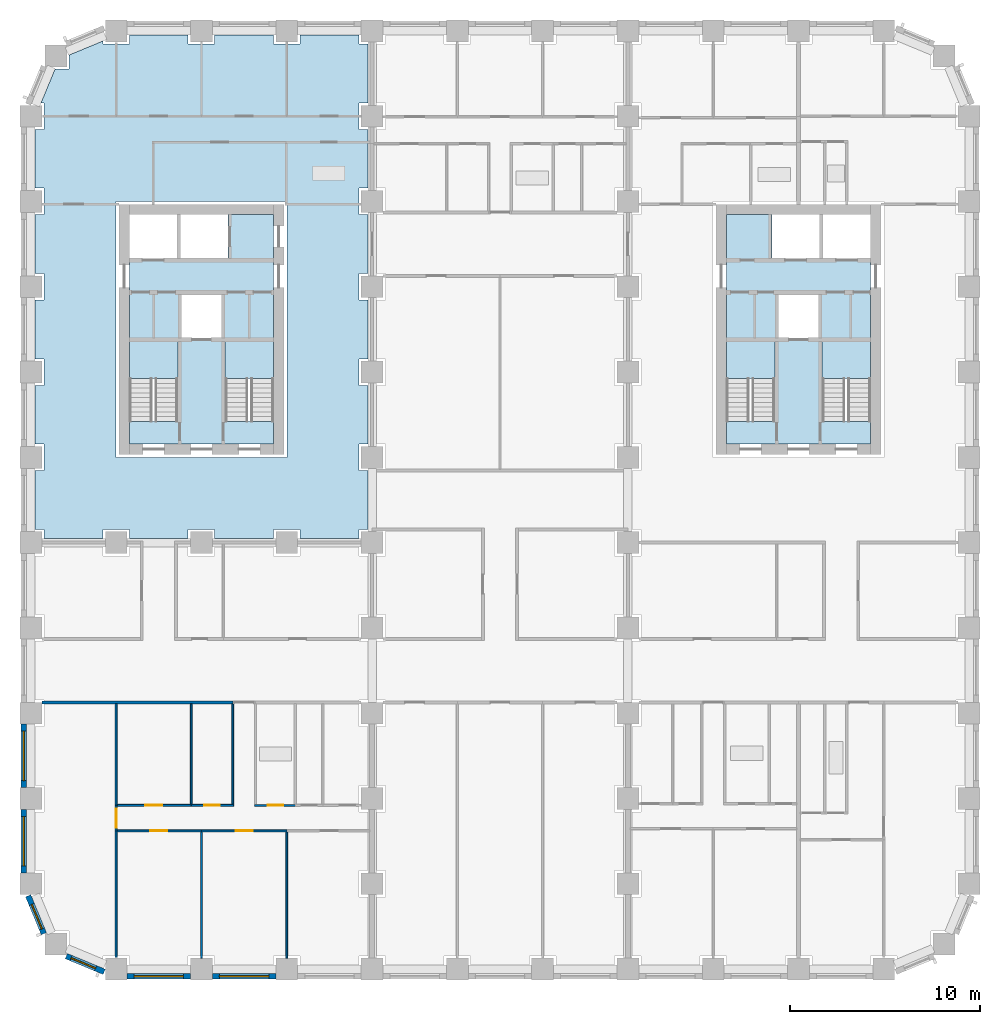
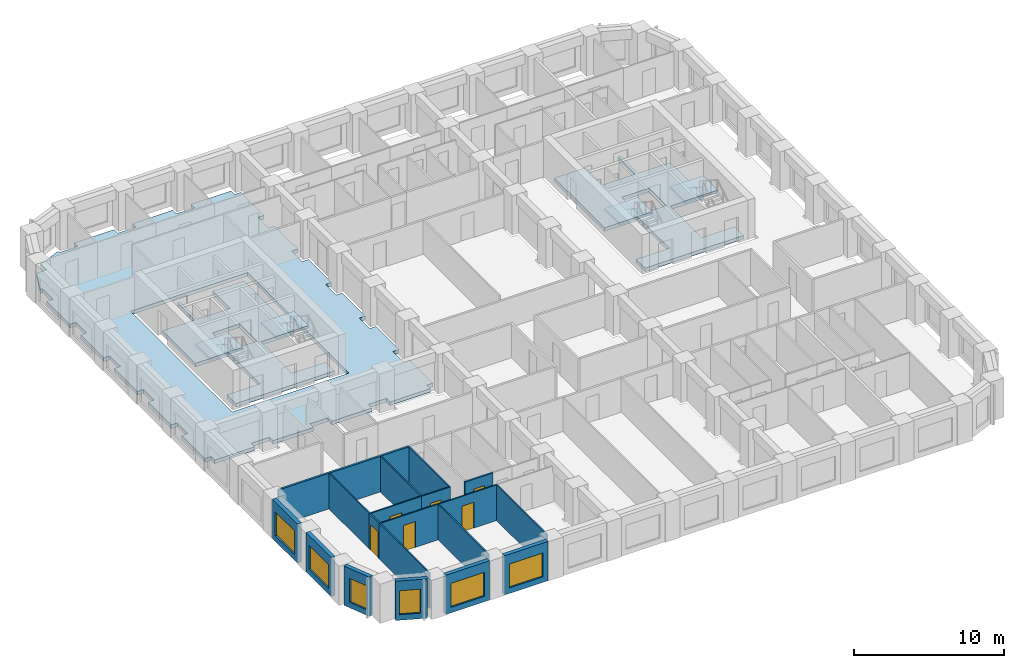
# One storey, part 2 of 13: 19 walls, 7 slabs, 6 doors, 6 windows, 12 openings, 4 elements without a shape of their own.
"""IFC4 building model written with IfcOpenShell, lengths in metres."""

from ifc_helpers import new_model, si_unit, direction, frame, frame_2d, origin, place, context, subcontext, project, spatial, polyline, rectangle, outline, extrude, material, layer, layer_set, type_object, element, fill, aggregate, save


model = new_model("IFC4")

# Units and contexts
model_context = context("Model", 3, precision=1e-05, world=origin(), true_north=direction((0.0, 1.0)))
body_context = subcontext(model_context, "Body", "Model", "MODEL_VIEW")
ifc_project = project(units=[si_unit("LENGTHUNIT", "METRE"), si_unit("AREAUNIT", "SQUARE_METRE"), si_unit("VOLUMEUNIT", "CUBIC_METRE"), si_unit("PLANEANGLEUNIT", "RADIAN"), si_unit("MASSUNIT", "GRAM", prefix="KILO")], contexts=[model_context])

# Site, building, storey
site_placement = place(None, origin())
site = spatial("IfcSite", under=ifc_project, at=site_placement, CompositionType="ELEMENT")
building_placement = place(site_placement, origin())
building = spatial("IfcBuilding", under=site, at=building_placement, Name="Girih Gate Residences", CompositionType="ELEMENT")
storey_placement = place(building_placement, frame((0.0, 0.0, 80.0)))
storey = spatial("IfcBuildingStorey", under=building, at=storey_placement, Name="L21", CompositionType="ELEMENT", Elevation=80.0)

# Slabs
ifc_material_1 = material(Name="Concrete C40/50", Category="concrete")
ifc_layer_1 = layer(ifc_material_1, 0.300048828125)
ifc_layer_set_1 = layer_set([ifc_layer_1], Name="Core floor slab 300")
slab_type_1 = type_object("IfcSlabType", Name="Core floor slab 300", PredefinedType="FLOOR", material=ifc_layer_set_1)
slab_1_placement = place(storey_placement, frame((0.0, 0.0, -0.300048828125)))
element("IfcSlab", 1, at=slab_1_placement, inside=storey, type_object=slab_type_1, Name="L21 W core floor", PredefinedType="FLOOR", context=body_context, shape_type="SweptSolid", body=[
    extrude(outline(polyline([(12.800048828125, 27.699951171875), (5.199951171875, 27.699951171875), (5.199951171875, 28.900634765625), (7.75, 28.900634765625), (7.75, 33.10009765625), (5.199951171875, 33.10009765625), (5.199951171875, 37.5), (7.699951171875, 37.5), (7.699951171875, 39.800048828125), (7.89990234375, 39.800048828125), (7.89990234375, 37.5), (10.39990234375, 37.5), (10.39990234375, 39.800048828125), (12.800048828125, 39.800048828125), (12.800048828125, 33.10009765625), (10.25, 33.10009765625), (10.25, 28.900634765625), (12.800048828125, 28.900634765625), (12.800048828125, 27.699951171875)]), holes=[polyline([(7.949951171875, 33.300048828125), (10.050048828125, 33.300048828125), (10.050048828125, 35.60009765625), (7.949951171875, 35.60009765625), (7.949951171875, 33.300048828125)])]), origin(), (0.0, 0.0, 1.0), 0.300048828125),
])
slab_2_placement = place(storey_placement, frame((0.0, 0.0, -0.300048828125)))
element("IfcSlab", 2, at=slab_2_placement, inside=storey, type_object=slab_type_1, Name="L21 E core floor", PredefinedType="FLOOR", context=body_context, shape_type="SweptSolid", body=[
    extrude(outline(polyline([(44.300048828125, 27.699951171875), (36.699951171875, 27.699951171875), (36.699951171875, 28.900634765625), (39.25, 28.900634765625), (39.25, 33.10009765625), (36.699951171875, 33.10009765625), (36.699951171875, 39.800048828125), (39.10009765625, 39.800048828125), (39.10009765625, 37.5), (41.60009765625, 37.5), (41.60009765625, 39.800048828125), (41.800048828125, 39.800048828125), (41.800048828125, 37.5), (44.300048828125, 37.5), (44.300048828125, 33.10009765625), (41.75, 33.10009765625), (41.75, 28.900634765625), (44.300048828125, 28.900634765625), (44.300048828125, 27.699951171875)]), holes=[polyline([(39.449951171875, 33.300048828125), (41.550048828125, 33.300048828125), (41.550048828125, 35.60009765625), (39.449951171875, 35.60009765625), (39.449951171875, 33.300048828125)])]), origin(), (0.0, 0.0, 1.0), 0.300048828125),
])
ifc_layer_2 = layer(ifc_material_1, 0.300048828125)
ifc_layer_set_2 = layer_set([ifc_layer_2], Name="Floor slab PT 300 Concrete C40/50")
slab_type_2 = type_object("IfcSlabType", Name="Floor slab PT 300 Concrete C40/50", PredefinedType="FLOOR", material=ifc_layer_set_2)
slab_3_placement = place(storey_placement, frame((0.0, 0.0, -0.300048828125)))
element("IfcSlab", 3, at=slab_3_placement, inside=storey, type_object=slab_type_2, Name="Floor slab L21 3", PredefinedType="FLOOR", context=body_context, shape_type="SweptSolid", body=[
    extrude(outline(polyline([(0.22509765625, 26.300048828125), (0.22509765625, 23.199951171875), (0.699951171875, 23.199951171875), (0.699951171875, 22.72509765625), (3.800048828125, 22.72509765625), (3.800048828125, 23.199951171875), (5.199951171875, 23.199951171875), (5.199951171875, 22.72509765625), (8.300048828125, 22.72509765625), (8.300048828125, 23.199951171875), (9.699951171875, 23.199951171875), (9.699951171875, 22.72509765625), (12.800048828125, 22.72509765625), (12.800048828125, 23.199951171875), (14.199951171875, 23.199951171875), (14.199951171875, 22.72509765625), (17.300048828125, 22.72509765625), (17.300048828125, 23.199951171875), (17.77490234375, 23.199951171875), (17.77490234375, 26.300048828125), (17.300048828125, 26.300048828125), (17.300048828125, 27.699951171875), (17.77490234375, 27.699951171875), (17.77490234375, 30.800048828125), (17.300048828125, 30.800048828125), (17.300048828125, 32.199951171875), (17.77490234375, 32.199951171875), (17.77490234375, 35.300048828125), (17.300048828125, 35.300048828125), (17.300048828125, 36.699951171875), (17.77490234375, 36.699951171875), (17.77490234375, 39.800048828125), (17.300048828125, 39.800048828125), (17.300048828125, 41.199951171875), (17.77490234375, 41.199951171875), (17.77490234375, 44.300048828125), (17.300048828125, 44.300048828125), (17.300048828125, 45.699951171875), (17.77490234375, 45.699951171875), (17.77490234375, 48.800048828125), (17.300048828125, 48.800048828125), (17.300048828125, 49.27490234375), (14.199951171875, 49.27490234375), (14.199951171875, 48.800048828125), (12.800048828125, 48.800048828125), (12.800048828125, 49.27490234375), (9.699951171875, 49.27490234375), (9.699951171875, 48.800048828125), (8.300048828125, 48.800048828125), (8.300048828125, 49.27490234375), (5.199951171875, 49.27490234375), (5.199951171875, 48.800048828125), (3.800048828125, 48.800048828125), (3.800048828125, 48.966552734375), (2.01806640625, 48.228271484375), (2.01806640625, 47.48193359375), (1.271728515625, 47.48193359375), (0.533447265625, 45.699951171875), (0.699951171875, 45.699951171875), (0.699951171875, 44.300048828125), (0.22509765625, 44.300048828125), (0.22509765625, 41.199951171875), (0.699951171875, 41.199951171875), (0.699951171875, 39.800048828125), (0.22509765625, 39.800048828125), (0.22509765625, 36.699951171875), (0.699951171875, 36.699951171875), (0.699951171875, 35.300048828125), (0.22509765625, 35.300048828125), (0.22509765625, 32.199951171875), (0.699951171875, 32.199951171875), (0.699951171875, 30.800048828125), (0.22509765625, 30.800048828125), (0.22509765625, 27.699951171875), (0.699951171875, 27.699951171875), (0.699951171875, 26.300048828125), (0.22509765625, 26.300048828125)]), holes=[polyline([(13.5, 40.5), (13.5, 27.0), (4.5, 27.0), (4.5, 40.5), (13.5, 40.5)])]), origin(), (0.0, 0.0, 1.0), 0.300048828125),
])

# Stair, slab
stair_type = type_object("IfcStairType", Name="Exit stair", PredefinedType="HALF_TURN_STAIR", material=ifc_material_1)
stair_1_placement = place(storey_placement, origin())
stair_1 = element("IfcStair", 4, at=stair_1_placement, inside=storey, type_object=stair_type, Name="L21 Exit Stair ST-W1", PredefinedType="HALF_TURN_STAIR")
ifc_layer_3 = layer(ifc_material_1, 0.199951171875)
ifc_layer_set_3 = layer_set([ifc_layer_3], Name="Stair landing 200")
slab_type_3 = type_object("IfcSlabType", Name="Stair landing 200", PredefinedType="LANDING", material=ifc_layer_set_3)
slab_4_placement = place(storey_placement, frame((0.0, 0.0, 1.39990234375)))
slab_4 = element("IfcSlab", 5, at=slab_4_placement, type_object=slab_type_3, Name="ST-W1 landing 1", PredefinedType="LANDING", context=body_context, shape_type="SweptSolid", body=[
    extrude(outline(polyline([(7.75, 31.14990234375), (7.75, 33.10009765625), (5.199951171875, 33.10009765625), (5.199951171875, 31.14990234375), (7.75, 31.14990234375)])), origin(), (0.0, 0.0, 1.0), 0.2001953125),
])
aggregate(stair_1, [slab_4])

stair_2_placement = place(storey_placement, origin())
stair_2 = element("IfcStair", 6, at=stair_2_placement, inside=storey, type_object=stair_type, Name="L21 Exit Stair ST-W2", PredefinedType="HALF_TURN_STAIR")
slab_5_placement = place(storey_placement, frame((0.0, 0.0, 1.39990234375)))
slab_5 = element("IfcSlab", 7, at=slab_5_placement, type_object=slab_type_3, Name="ST-W2 landing 1", PredefinedType="LANDING", context=body_context, shape_type="SweptSolid", body=[
    extrude(outline(polyline([(12.800048828125, 31.14990234375), (12.800048828125, 33.10009765625), (10.25, 33.10009765625), (10.25, 31.14990234375), (12.800048828125, 31.14990234375)])), origin(), (0.0, 0.0, 1.0), 0.2001953125),
])
aggregate(stair_2, [slab_5])

stair_3_placement = place(storey_placement, origin())
stair_3 = element("IfcStair", 8, at=stair_3_placement, inside=storey, type_object=stair_type, Name="L21 Exit Stair ST-E1", PredefinedType="HALF_TURN_STAIR")
slab_6_placement = place(storey_placement, frame((0.0, 0.0, 1.39990234375)))
slab_6 = element("IfcSlab", 9, at=slab_6_placement, type_object=slab_type_3, Name="ST-E1 landing 1", PredefinedType="LANDING", context=body_context, shape_type="SweptSolid", body=[
    extrude(outline(polyline([(44.300048828125, 31.14990234375), (44.300048828125, 33.10009765625), (41.75, 33.10009765625), (41.75, 31.14990234375), (44.300048828125, 31.14990234375)])), origin(), (0.0, 0.0, 1.0), 0.2001953125),
])
aggregate(stair_3, [slab_6])

stair_4_placement = place(storey_placement, origin())
stair_4 = element("IfcStair", 10, at=stair_4_placement, inside=storey, type_object=stair_type, Name="L21 Exit Stair ST-E2", PredefinedType="HALF_TURN_STAIR")
slab_7_placement = place(storey_placement, frame((0.0, 0.0, 1.39990234375)))
slab_7 = element("IfcSlab", 11, at=slab_7_placement, type_object=slab_type_3, Name="ST-E2 landing 1", PredefinedType="LANDING", context=body_context, shape_type="SweptSolid", body=[
    extrude(outline(polyline([(39.25, 31.14990234375), (39.25, 33.10009765625), (36.699951171875, 33.10009765625), (36.699951171875, 31.14990234375), (39.25, 31.14990234375)])), origin(), (0.0, 0.0, 1.0), 0.2001953125),
])
aggregate(stair_4, [slab_7])

# Walls
ifc_material_2 = material(Name="Gypsum board on steel studs", Category="steel")
ifc_layer_4 = layer(ifc_material_2, 0.14990234375)
ifc_layer_set_4 = layer_set([ifc_layer_4], Name="Compartment wall 150 mm")
wall_type_1 = type_object("IfcWallType", Name="Compartment wall 150 mm", PredefinedType="PARTITIONING", material=ifc_layer_set_4)
wall_1_placement = place(storey_placement, frame((0.574951171875, 14.074951171875, 0.0), z_axis=(0.0, 0.0, 1.0), x_axis=(1.0, 0.0, 0.0)))
element("IfcWall", 12, at=wall_1_placement, inside=storey, type_object=wall_type_1, Name="L21 partition", PredefinedType="PARTITIONING", context=body_context, shape_type="SweptSolid", body=[
    extrude(rectangle(XDim=10.074951171875, YDim=0.14990234375, at=frame_2d((5.03759765625, 0.0))), origin(), (0.0, 0.0, 1.0), 2.89990234375),
])
ifc_layer_5 = layer(ifc_material_2, 0.10009765625)
ifc_layer_set_5 = layer_set([ifc_layer_5], Name="Partition 100 mm")
wall_type_2 = type_object("IfcWallType", Name="Partition 100 mm", PredefinedType="PARTITIONING", material=ifc_layer_set_5)
wall_2_placement = place(storey_placement, frame((9.0, 0.574951171875, 0.0), z_axis=(0.0, 0.0, 1.0), x_axis=(0.0, 1.0, 0.0)))
element("IfcWall", 13, at=wall_2_placement, inside=storey, type_object=wall_type_2, Name="L21 partition", PredefinedType="PARTITIONING", context=body_context, shape_type="SweptSolid", body=[
    extrude(rectangle(XDim=6.670166015625, YDim=0.10009765625, at=frame_2d((3.3349609375, 0.0))), origin(), (0.0, 0.0, 1.0), 2.89990234375),
])

# Wall, opening, door
wall_3_placement = place(storey_placement, frame((9.0, 7.294921875, 0.0), z_axis=(0.0, 0.0, 1.0), x_axis=(-1.0, 0.0, 0.0)))
wall_3 = element("IfcWall", 14, at=wall_3_placement, inside=storey, type_object=wall_type_2, Name="L21 partition", PredefinedType="PARTITIONING", context=body_context, shape_type="SweptSolid", body=[
    extrude(rectangle(XDim=4.449951171875, YDim=0.10009765625, at=frame_2d((2.22509765625, 0.0))), origin(), (0.0, 0.0, 1.0), 2.89990234375),
])
opening_1_placement = place(wall_3_placement, frame((1.800048828125, 0.0, 0.0)))
opening_1 = element("IfcOpeningElement", 15, at=opening_1_placement, cuts=wall_3, Name="Opening A21-002", PredefinedType="OPENING", context=body_context, shape_type="SweptSolid", body=[
    extrude(rectangle(XDim=0.89990234375, YDim=2.10009765625, at=frame_2d((0.449951171875, 1.050048828125))), frame((0.0, 0.06005859375, 0.0), z_axis=(0.0, -1.0, 0.0), x_axis=(1.0, 0.0, 0.0)), (0.0, 0.0, 1.0), 0.1201171875),
])
ifc_material_3 = material(Name="Timber", Category="wood")
door_type_1 = type_object("IfcDoorType", Name="Bedroom door 900x2100", OperationType="NOTDEFINED", PredefinedType="DOOR", material=ifc_material_3)
door_1_placement = place(opening_1_placement, origin())
door_1 = element("IfcDoor", 16, at=door_1_placement, inside=storey, type_object=door_type_1, Name="Door A21-002", OperationType="SINGLE_SWING_RIGHT", OverallHeight=2.10009765625, OverallWidth=0.89990234375, PredefinedType="DOOR", context=body_context, shape_type="SweptSolid", body=[
    extrude(rectangle(XDim=0.89990234375, YDim=2.10009765625, at=frame_2d((0.449951171875, 1.050048828125))), frame((0.0, 0.02490234375, 0.0), z_axis=(0.0, -1.0, 0.0), x_axis=(1.0, 0.0, 0.0)), (0.0, 0.0, 1.0), 0.050048828125),
])
fill(opening_1, door_1)

# Walls
wall_4_placement = place(storey_placement, frame((4.5, 0.622314453125, 0.0), z_axis=(0.0, 0.0, 1.0), x_axis=(0.0, 1.0, 0.0)))
element("IfcWall", 17, at=wall_4_placement, inside=storey, type_object=wall_type_2, Name="L21 partition", PredefinedType="PARTITIONING", context=body_context, shape_type="SweptSolid", body=[
    extrude(rectangle(XDim=6.672607421875, YDim=0.10009765625, at=frame_2d((3.33642578125, 0.0))), origin(), (0.0, 0.0, 1.0), 2.89990234375),
])
wall_5_placement = place(storey_placement, frame((13.5, 0.574951171875, 0.0), z_axis=(0.0, 0.0, 1.0), x_axis=(0.0, 1.0, 0.0)))
element("IfcWall", 18, at=wall_5_placement, inside=storey, type_object=wall_type_2, Name="L21 partition", PredefinedType="PARTITIONING", context=body_context, shape_type="SweptSolid", body=[
    extrude(rectangle(XDim=6.670166015625, YDim=0.10009765625, at=frame_2d((3.3349609375, 0.0))), origin(), (0.0, 0.0, 1.0), 2.89990234375),
])

# Wall, opening, door
wall_6_placement = place(storey_placement, frame((13.5, 7.294921875, 0.0), z_axis=(0.0, 0.0, 1.0), x_axis=(-1.0, 0.0, 0.0)))
wall_6 = element("IfcWall", 19, at=wall_6_placement, inside=storey, type_object=wall_type_2, Name="L21 partition", PredefinedType="PARTITIONING", context=body_context, shape_type="SweptSolid", body=[
    extrude(rectangle(XDim=4.5, YDim=0.10009765625, at=frame_2d((2.25, 0.0))), origin(), (0.0, 0.0, 1.0), 2.89990234375),
])
opening_2_placement = place(wall_6_placement, frame((1.800048828125, 0.0, 0.0)))
opening_2 = element("IfcOpeningElement", 20, at=opening_2_placement, cuts=wall_6, Name="Opening A21-003", PredefinedType="OPENING", context=body_context, shape_type="SweptSolid", body=[
    extrude(rectangle(XDim=0.89990234375, YDim=2.10009765625, at=frame_2d((0.449951171875, 1.050048828125))), frame((0.0, 0.06005859375, 0.0), z_axis=(0.0, -1.0, 0.0), x_axis=(1.0, 0.0, 0.0)), (0.0, 0.0, 1.0), 0.1201171875),
])
door_2_placement = place(opening_2_placement, origin())
door_2 = element("IfcDoor", 21, at=door_2_placement, inside=storey, type_object=door_type_1, Name="Door A21-003", OperationType="SINGLE_SWING_LEFT", OverallHeight=2.10009765625, OverallWidth=0.89990234375, PredefinedType="DOOR", context=body_context, shape_type="SweptSolid", body=[
    extrude(rectangle(XDim=0.89990234375, YDim=2.10009765625, at=frame_2d((0.449951171875, 1.050048828125))), frame((0.0, 0.02490234375, 0.0), z_axis=(0.0, -1.0, 0.0), x_axis=(1.0, 0.0, 0.0)), (0.0, 0.0, 1.0), 0.050048828125),
])
fill(opening_2, door_2)

wall_7_placement = place(storey_placement, frame((4.550048828125, 8.635009765625, 0.0), z_axis=(0.0, 0.0, 1.0), x_axis=(1.0, 0.0, 0.0)))
wall_7 = element("IfcWall", 22, at=wall_7_placement, inside=storey, type_object=wall_type_2, Name="L21 partition", PredefinedType="PARTITIONING", context=body_context, shape_type="SweptSolid", body=[
    extrude(rectangle(XDim=3.9130859375, YDim=0.10009765625, at=frame_2d((1.95654296875, 0.0))), origin(), (0.0, 0.0, 1.0), 2.89990234375),
])
opening_3_placement = place(wall_7_placement, frame((1.481689453125, 0.0, 0.0)))
opening_3 = element("IfcOpeningElement", 23, at=opening_3_placement, cuts=wall_7, Name="Opening A21-006", PredefinedType="OPENING", context=body_context, shape_type="SweptSolid", body=[
    extrude(rectangle(XDim=0.89990234375, YDim=2.10009765625, at=frame_2d((0.449951171875, 1.050048828125))), frame((0.0, 0.06005859375, 0.0), z_axis=(0.0, -1.0, 0.0), x_axis=(1.0, 0.0, 0.0)), (0.0, 0.0, 1.0), 0.1201171875),
])
door_type_2 = type_object("IfcDoorType", Name="Kitchen door 900x2100", OperationType="NOTDEFINED", PredefinedType="DOOR", material=ifc_material_3)
door_3_placement = place(opening_3_placement, origin())
door_3 = element("IfcDoor", 24, at=door_3_placement, inside=storey, type_object=door_type_2, Name="Door A21-006", OperationType="SINGLE_SWING_LEFT", OverallHeight=2.10009765625, OverallWidth=0.89990234375, PredefinedType="DOOR", context=body_context, shape_type="SweptSolid", body=[
    extrude(rectangle(XDim=0.89990234375, YDim=2.10009765625, at=frame_2d((0.449951171875, 1.050048828125))), frame((0.0, 0.02490234375, 0.0), z_axis=(0.0, -1.0, 0.0), x_axis=(1.0, 0.0, 0.0)), (0.0, 0.0, 1.0), 0.050048828125),
])
fill(opening_3, door_3)

wall_8_placement = place(storey_placement, frame((4.5, 7.294921875, 0.0), z_axis=(0.0, 0.0, 1.0), x_axis=(0.0, 1.0, 0.0)))
wall_8 = element("IfcWall", 25, at=wall_8_placement, inside=storey, type_object=wall_type_2, Name="L21 partition", PredefinedType="PARTITIONING", context=body_context, shape_type="SweptSolid", body=[
    extrude(rectangle(XDim=1.340087890625, YDim=0.10009765625, at=frame_2d((0.669921875, 0.0))), origin(), (0.0, 0.0, 1.0), 2.89990234375),
])
opening_4_placement = place(wall_8_placement, frame((0.169921875, 0.0, 0.0)))
opening_4 = element("IfcOpeningElement", 26, at=opening_4_placement, cuts=wall_8, Name="Opening A21-007", PredefinedType="OPENING", context=body_context, shape_type="SweptSolid", body=[
    extrude(rectangle(XDim=1.0, YDim=2.10009765625, at=frame_2d((0.5, 1.050048828125))), frame((0.0, 0.06005859375, 0.0), z_axis=(0.0, -1.0, 0.0), x_axis=(1.0, 0.0, 0.0)), (0.0, 0.0, 1.0), 0.1201171875),
])
door_type_3 = type_object("IfcDoorType", Name="Living room door 1000x2100", OperationType="NOTDEFINED", PredefinedType="DOOR", material=ifc_material_3)
door_4_placement = place(opening_4_placement, origin())
door_4 = element("IfcDoor", 27, at=door_4_placement, inside=storey, type_object=door_type_3, Name="Door A21-007", OperationType="SINGLE_SWING_RIGHT", OverallHeight=2.10009765625, OverallWidth=1.0, PredefinedType="DOOR", context=body_context, shape_type="SweptSolid", body=[
    extrude(rectangle(XDim=1.0, YDim=2.10009765625, at=frame_2d((0.5, 1.050048828125))), frame((0.0, 0.02490234375, 0.0), z_axis=(0.0, -1.0, 0.0), x_axis=(1.0, 0.0, 0.0)), (0.0, 0.0, 1.0), 0.050048828125),
])
fill(opening_4, door_4)

wall_9_placement = place(storey_placement, frame((8.463134765625, 8.635009765625, 0.0), z_axis=(0.0, 0.0, 1.0), x_axis=(1.0, 0.0, 0.0)))
wall_9 = element("IfcWall", 28, at=wall_9_placement, inside=storey, type_object=wall_type_2, Name="L21 partition", PredefinedType="PARTITIONING", context=body_context, shape_type="SweptSolid", body=[
    extrude(rectangle(XDim=2.23681640625, YDim=0.10009765625, at=frame_2d((1.118408203125, 0.0))), origin(), (0.0, 0.0, 1.0), 2.89990234375),
])
opening_5_placement = place(wall_9_placement, frame((0.693359375, 0.0, 0.0)))
opening_5 = element("IfcOpeningElement", 29, at=opening_5_placement, cuts=wall_9, Name="Opening A21-009", PredefinedType="OPENING", context=body_context, shape_type="SweptSolid", body=[
    extrude(rectangle(XDim=0.800048828125, YDim=2.10009765625, at=frame_2d((0.39990234375, 1.050048828125))), frame((0.0, 0.06005859375, 0.0), z_axis=(0.0, -1.0, 0.0), x_axis=(1.0, 0.0, 0.0)), (0.0, 0.0, 1.0), 0.1201171875),
])
door_type_4 = type_object("IfcDoorType", Name="Store door 800x2100", OperationType="NOTDEFINED", PredefinedType="DOOR", material=ifc_material_3)
door_5_placement = place(opening_5_placement, origin())
door_5 = element("IfcDoor", 30, at=door_5_placement, inside=storey, type_object=door_type_4, Name="Door A21-009", OperationType="SINGLE_SWING_LEFT", OverallHeight=2.10009765625, OverallWidth=0.800048828125, PredefinedType="DOOR", context=body_context, shape_type="SweptSolid", body=[
    extrude(rectangle(XDim=0.800048828125, YDim=2.10009765625, at=frame_2d((0.39990234375, 1.050048828125))), frame((0.0, 0.02490234375, 0.0), z_axis=(0.0, -1.0, 0.0), x_axis=(1.0, 0.0, 0.0)), (0.0, 0.0, 1.0), 0.050048828125),
])
fill(opening_5, door_5)

# Walls
wall_10_placement = place(storey_placement, frame((10.64990234375, 8.68505859375, 0.0), z_axis=(0.0, 0.0, 1.0), x_axis=(0.0, 1.0, 0.0)))
element("IfcWall", 31, at=wall_10_placement, inside=storey, type_object=wall_type_2, Name="L21 partition", PredefinedType="PARTITIONING", context=body_context, shape_type="SweptSolid", body=[
    extrude(rectangle(XDim=5.31494140625, YDim=0.10009765625, at=frame_2d((2.657470703125, 0.0))), origin(), (0.0, 0.0, 1.0), 2.89990234375),
])
wall_11_placement = place(storey_placement, frame((4.5, 8.635009765625, 0.0), z_axis=(0.0, 0.0, 1.0), x_axis=(0.0, 1.0, 0.0)))
element("IfcWall", 32, at=wall_11_placement, inside=storey, type_object=wall_type_2, Name="L21 partition", PredefinedType="PARTITIONING", context=body_context, shape_type="SweptSolid", body=[
    extrude(rectangle(XDim=5.364990234375, YDim=0.10009765625, at=frame_2d((2.6826171875, 0.0))), origin(), (0.0, 0.0, 1.0), 2.89990234375),
])
wall_12_placement = place(storey_placement, frame((8.462890625, 8.68505859375, 0.0), z_axis=(0.0, 0.0, 1.0), x_axis=(0.0, 1.0, 0.0)))
element("IfcWall", 33, at=wall_12_placement, inside=storey, type_object=wall_type_2, Name="L21 partition", PredefinedType="PARTITIONING", context=body_context, shape_type="SweptSolid", body=[
    extrude(rectangle(XDim=5.31494140625, YDim=0.10009765625, at=frame_2d((2.657470703125, 0.0))), origin(), (0.0, 0.0, 1.0), 2.89990234375),
])

# Wall, opening, window
ifc_material_4 = material(Name="Precast concrete C50/60", Category="concrete")
ifc_layer_6 = layer(ifc_material_4, 0.080078125, Name="Outer leaf")
ifc_material_5 = material(Name="Rigid PIR insulation")
ifc_layer_7 = layer(ifc_material_5, 0.14990234375, Name="Insulation")
ifc_material_6 = material(Name="Precast concrete C40/50", Category="concrete")
ifc_layer_8 = layer(ifc_material_6, 0.070068359375, Name="Inner leaf")
ifc_layer_set_6 = layer_set([ifc_layer_6, ifc_layer_7, ifc_layer_8], Name="Precast concrete C50/60 external wall 300")
wall_type_3 = type_object("IfcWallType", Name="Precast concrete C50/60 external wall 300", PredefinedType="SOLIDWALL", material=ifc_layer_set_6)
wall_13_placement = place(storey_placement, frame((0.68408203125, 1.86865234375, 0.0), z_axis=(0.0, 0.0, 1.0), x_axis=(-0.382723818695, 0.923862802911, 0.0)))
wall_13 = element("IfcWall", 34, at=wall_13_placement, inside=storey, type_object=wall_type_3, Name="External wall SW0000_0045.0", PredefinedType="SOLIDWALL", context=body_context, shape_type="SweptSolid", body=[
    extrude(rectangle(XDim=2.163818359375, YDim=0.300048828125, at=frame_2d((1.08203125, 0.0))), origin(), (0.0, 0.0, 1.0), 3.199951171875),
])
opening_6_placement = place(wall_13_placement, frame((0.270751953125, 0.0, 0.449951171875)))
opening_6 = element("IfcOpeningElement", 35, at=opening_6_placement, cuts=wall_13, Name="Opening W-2D", PredefinedType="OPENING", context=body_context, shape_type="SweptSolid", body=[
    extrude(rectangle(XDim=1.39990234375, YDim=1.949951171875, at=frame_2d((0.699951171875, 0.97509765625))), frame((0.0, 0.159912109375, 0.0), z_axis=(0.0, -1.0, 0.0), x_axis=(1.0, 0.0, 0.0)), (0.0, 0.0, 1.0), 0.320068359375),
])
ifc_material_7 = material(Name="Double glazing in aluminium frame", Category="aluminium")
window_type_1 = type_object("IfcWindowType", Name="Window W-2D 1400x1950", PartitioningType="SINGLE_PANEL", PredefinedType="WINDOW", material=ifc_material_7)
window_1_placement = place(opening_6_placement, origin())
window_1 = element("IfcWindow", 36, at=window_1_placement, inside=storey, type_object=window_type_1, Name="Window W-2D SW0000_0045.0", OverallHeight=1.949951171875, OverallWidth=1.39990234375, PartitioningType="SINGLE_PANEL", PredefinedType="WINDOW", context=body_context, shape_type="SweptSolid", body=[
    extrude(rectangle(XDim=1.39990234375, YDim=1.949951171875, at=frame_2d((0.699951171875, 0.97509765625))), frame((0.0, 0.030029296875, 0.0), z_axis=(0.0, -1.0, 0.0), x_axis=(1.0, 0.0, 0.0)), (0.0, 0.0, 1.0), 0.06005859375),
])
fill(opening_6, window_1)

wall_14_placement = place(storey_placement, frame((3.86767578125, -0.14404296875, 0.0), z_axis=(0.0, 0.0, 1.0), x_axis=(-0.923862802911, 0.382723818695, 0.0)))
wall_14 = element("IfcWall", 37, at=wall_14_placement, inside=storey, type_object=wall_type_3, Name="External wall SW0013_0013.0", PredefinedType="SOLIDWALL", context=body_context, shape_type="SweptSolid", body=[
    extrude(rectangle(XDim=2.163818359375, YDim=0.300048828125, at=frame_2d((1.08203125, 0.0))), origin(), (0.0, 0.0, 1.0), 3.199951171875),
])
opening_7_placement = place(wall_14_placement, frame((0.492919921875, 0.0, 0.449951171875)))
opening_7 = element("IfcOpeningElement", 38, at=opening_7_placement, cuts=wall_14, Name="Opening W-2D", PredefinedType="OPENING", context=body_context, shape_type="SweptSolid", body=[
    extrude(rectangle(XDim=1.39990234375, YDim=1.949951171875, at=frame_2d((0.699951171875, 0.97509765625))), frame((0.0, 0.159912109375, 0.0), z_axis=(0.0, -1.0, 0.0), x_axis=(1.0, 0.0, 0.0)), (0.0, 0.0, 1.0), 0.320068359375),
])
window_2_placement = place(opening_7_placement, origin())
window_2 = element("IfcWindow", 39, at=window_2_placement, inside=storey, type_object=window_type_1, Name="Window W-2D SW0013_0013.0", OverallHeight=1.949951171875, OverallWidth=1.39990234375, PartitioningType="SINGLE_PANEL", PredefinedType="WINDOW", context=body_context, shape_type="SweptSolid", body=[
    extrude(rectangle(XDim=1.39990234375, YDim=1.949951171875, at=frame_2d((0.699951171875, 0.97509765625))), frame((0.0, 0.030029296875, 0.0), z_axis=(0.0, -1.0, 0.0), x_axis=(1.0, 0.0, 0.0)), (0.0, 0.0, 1.0), 0.06005859375),
])
fill(opening_7, window_2)

wall_15_placement = place(storey_placement, frame((8.425048828125, -0.375, 0.0), z_axis=(0.0, 0.0, 1.0), x_axis=(-1.0, 0.0, 0.0)))
wall_15 = element("IfcWall", 40, at=wall_15_placement, inside=storey, type_object=wall_type_3, Name="External wall S0045_0000.0", PredefinedType="SOLIDWALL", context=body_context, shape_type="SweptSolid", body=[
    extrude(rectangle(XDim=3.35009765625, YDim=0.300048828125, at=frame_2d((1.675048828125, 0.0))), origin(), (0.0, 0.0, 1.0), 3.199951171875),
])
opening_8_placement = place(wall_15_placement, frame((0.375, 0.0, 0.449951171875)))
opening_8 = element("IfcOpeningElement", 41, at=opening_8_placement, cuts=wall_15, Name="Opening W-1A", PredefinedType="OPENING", context=body_context, shape_type="SweptSolid", body=[
    extrude(rectangle(XDim=2.60009765625, YDim=1.949951171875, at=frame_2d((1.300048828125, 0.97509765625))), frame((0.0, 0.159912109375, 0.0), z_axis=(0.0, -1.0, 0.0), x_axis=(1.0, 0.0, 0.0)), (0.0, 0.0, 1.0), 0.320068359375),
])
window_type_2 = type_object("IfcWindowType", Name="Window W-1A 2600x1950", PartitioningType="SINGLE_PANEL", PredefinedType="WINDOW", material=ifc_material_7)
window_3_placement = place(opening_8_placement, origin())
window_3 = element("IfcWindow", 42, at=window_3_placement, inside=storey, type_object=window_type_2, Name="Window W-1A S0045_0000.0", OverallHeight=1.949951171875, OverallWidth=2.60009765625, PartitioningType="SINGLE_PANEL", PredefinedType="WINDOW", context=body_context, shape_type="SweptSolid", body=[
    extrude(rectangle(XDim=2.60009765625, YDim=1.949951171875, at=frame_2d((1.300048828125, 0.97509765625))), frame((0.0, 0.030029296875, 0.0), z_axis=(0.0, -1.0, 0.0), x_axis=(1.0, 0.0, 0.0)), (0.0, 0.0, 1.0), 0.06005859375),
])
fill(opening_8, window_3)

wall_16_placement = place(storey_placement, frame((12.925048828125, -0.375, 0.0), z_axis=(0.0, 0.0, 1.0), x_axis=(-1.0, 0.0, 0.0)))
wall_16 = element("IfcWall", 43, at=wall_16_placement, inside=storey, type_object=wall_type_3, Name="External wall S0045_0000.1", PredefinedType="SOLIDWALL", context=body_context, shape_type="SweptSolid", body=[
    extrude(rectangle(XDim=3.35009765625, YDim=0.300048828125, at=frame_2d((1.675048828125, 0.0))), origin(), (0.0, 0.0, 1.0), 3.199951171875),
])
opening_9_placement = place(wall_16_placement, frame((0.375, 0.0, 0.449951171875)))
opening_9 = element("IfcOpeningElement", 44, at=opening_9_placement, cuts=wall_16, Name="Opening W-1A", PredefinedType="OPENING", context=body_context, shape_type="SweptSolid", body=[
    extrude(rectangle(XDim=2.60009765625, YDim=1.949951171875, at=frame_2d((1.300048828125, 0.97509765625))), frame((0.0, 0.159912109375, 0.0), z_axis=(0.0, -1.0, 0.0), x_axis=(1.0, 0.0, 0.0)), (0.0, 0.0, 1.0), 0.320068359375),
])
window_4_placement = place(opening_9_placement, origin())
window_4 = element("IfcWindow", 45, at=window_4_placement, inside=storey, type_object=window_type_2, Name="Window W-1A S0045_0000.1", OverallHeight=1.949951171875, OverallWidth=2.60009765625, PartitioningType="SINGLE_PANEL", PredefinedType="WINDOW", context=body_context, shape_type="SweptSolid", body=[
    extrude(rectangle(XDim=2.60009765625, YDim=1.949951171875, at=frame_2d((1.300048828125, 0.97509765625))), frame((0.0, 0.030029296875, 0.0), z_axis=(0.0, -1.0, 0.0), x_axis=(1.0, 0.0, 0.0)), (0.0, 0.0, 1.0), 0.06005859375),
])
fill(opening_9, window_4)

wall_17_placement = place(storey_placement, frame((-0.375, 9.574951171875, 0.0), z_axis=(0.0, 0.0, 1.0), x_axis=(0.0, 1.0, 0.0)))
wall_17 = element("IfcWall", 46, at=wall_17_placement, inside=storey, type_object=wall_type_3, Name="External wall W0000_0450.7", PredefinedType="SOLIDWALL", context=body_context, shape_type="SweptSolid", body=[
    extrude(rectangle(XDim=3.35009765625, YDim=0.300048828125, at=frame_2d((1.675048828125, 0.0))), origin(), (0.0, 0.0, 1.0), 3.199951171875),
])
opening_10_placement = place(wall_17_placement, frame((0.375, 0.0, 0.449951171875)))
opening_10 = element("IfcOpeningElement", 47, at=opening_10_placement, cuts=wall_17, Name="Opening W-1A", PredefinedType="OPENING", context=body_context, shape_type="SweptSolid", body=[
    extrude(rectangle(XDim=2.60009765625, YDim=1.949951171875, at=frame_2d((1.300048828125, 0.97509765625))), frame((0.0, 0.159912109375, 0.0), z_axis=(0.0, -1.0, 0.0), x_axis=(1.0, 0.0, 0.0)), (0.0, 0.0, 1.0), 0.320068359375),
])
window_5_placement = place(opening_10_placement, origin())
window_5 = element("IfcWindow", 48, at=window_5_placement, inside=storey, type_object=window_type_2, Name="Window W-1A W0000_0450.7", OverallHeight=1.949951171875, OverallWidth=2.60009765625, PartitioningType="SINGLE_PANEL", PredefinedType="WINDOW", context=body_context, shape_type="SweptSolid", body=[
    extrude(rectangle(XDim=2.60009765625, YDim=1.949951171875, at=frame_2d((1.300048828125, 0.97509765625))), frame((0.0, 0.030029296875, 0.0), z_axis=(0.0, -1.0, 0.0), x_axis=(1.0, 0.0, 0.0)), (0.0, 0.0, 1.0), 0.06005859375),
])
fill(opening_10, window_5)

wall_18_placement = place(storey_placement, frame((-0.375, 5.074951171875, 0.0), z_axis=(0.0, 0.0, 1.0), x_axis=(0.0, 1.0, 0.0)))
wall_18 = element("IfcWall", 49, at=wall_18_placement, inside=storey, type_object=wall_type_3, Name="External wall W0000_0450.8", PredefinedType="SOLIDWALL", context=body_context, shape_type="SweptSolid", body=[
    extrude(rectangle(XDim=3.35009765625, YDim=0.300048828125, at=frame_2d((1.675048828125, 0.0))), origin(), (0.0, 0.0, 1.0), 3.199951171875),
])
opening_11_placement = place(wall_18_placement, frame((0.375, 0.0, 0.449951171875)))
opening_11 = element("IfcOpeningElement", 50, at=opening_11_placement, cuts=wall_18, Name="Opening W-1A", PredefinedType="OPENING", context=body_context, shape_type="SweptSolid", body=[
    extrude(rectangle(XDim=2.60009765625, YDim=1.949951171875, at=frame_2d((1.300048828125, 0.97509765625))), frame((0.0, 0.159912109375, 0.0), z_axis=(0.0, -1.0, 0.0), x_axis=(1.0, 0.0, 0.0)), (0.0, 0.0, 1.0), 0.320068359375),
])
window_6_placement = place(opening_11_placement, origin())
window_6 = element("IfcWindow", 51, at=window_6_placement, inside=storey, type_object=window_type_2, Name="Window W-1A W0000_0450.8", OverallHeight=1.949951171875, OverallWidth=2.60009765625, PartitioningType="SINGLE_PANEL", PredefinedType="WINDOW", context=body_context, shape_type="SweptSolid", body=[
    extrude(rectangle(XDim=2.60009765625, YDim=1.949951171875, at=frame_2d((1.300048828125, 0.97509765625))), frame((0.0, 0.030029296875, 0.0), z_axis=(0.0, -1.0, 0.0), x_axis=(1.0, 0.0, 0.0)), (0.0, 0.0, 1.0), 0.06005859375),
])
fill(opening_11, window_6)

# Wall, opening, door
ifc_layer_9 = layer(ifc_material_2, 0.125)
ifc_layer_set_7 = layer_set([ifc_layer_9], Name="Wet room wall 125 mm")
wall_type_4 = type_object("IfcWallType", Name="Wet room wall 125 mm", PredefinedType="PARTITIONING", material=ifc_layer_set_7)
wall_19_placement = place(storey_placement, frame((11.78759765625, 8.635009765625, 0.0), z_axis=(0.0, 0.0, 1.0), x_axis=(1.0, 0.0, 0.0)))
wall_19 = element("IfcWall", 52, at=wall_19_placement, inside=storey, type_object=wall_type_4, Name="L21 partition", PredefinedType="PARTITIONING", context=body_context, shape_type="SweptSolid", body=[
    extrude(rectangle(XDim=2.166259765625, YDim=0.125, at=frame_2d((1.0830078125, 0.0))), origin(), (0.0, 0.0, 1.0), 2.89990234375),
])
opening_12_placement = place(wall_19_placement, frame((0.714599609375, 0.0, 0.0)))
opening_12 = element("IfcOpeningElement", 53, at=opening_12_placement, cuts=wall_19, Name="Opening A21-001", PredefinedType="OPENING", context=body_context, shape_type="SweptSolid", body=[
    extrude(rectangle(XDim=0.800048828125, YDim=2.10009765625, at=frame_2d((0.39990234375, 1.050048828125))), frame((0.0, 0.072509765625, 0.0), z_axis=(0.0, -1.0, 0.0), x_axis=(1.0, 0.0, 0.0)), (0.0, 0.0, 1.0), 0.14501953125),
])
door_type_5 = type_object("IfcDoorType", Name="Bathroom door 800x2100", OperationType="NOTDEFINED", PredefinedType="DOOR", material=ifc_material_3)
door_6_placement = place(opening_12_placement, origin())
door_6 = element("IfcDoor", 54, at=door_6_placement, inside=storey, type_object=door_type_5, Name="Door A21-001", OperationType="SINGLE_SWING_RIGHT", OverallHeight=2.10009765625, OverallWidth=0.800048828125, PredefinedType="DOOR", context=body_context, shape_type="SweptSolid", body=[
    extrude(rectangle(XDim=0.800048828125, YDim=2.10009765625, at=frame_2d((0.39990234375, 1.050048828125))), frame((0.0, 0.02490234375, 0.0), z_axis=(0.0, -1.0, 0.0), x_axis=(1.0, 0.0, 0.0)), (0.0, 0.0, 1.0), 0.050048828125),
])
fill(opening_12, door_6)

save(model, "model.ifc")
